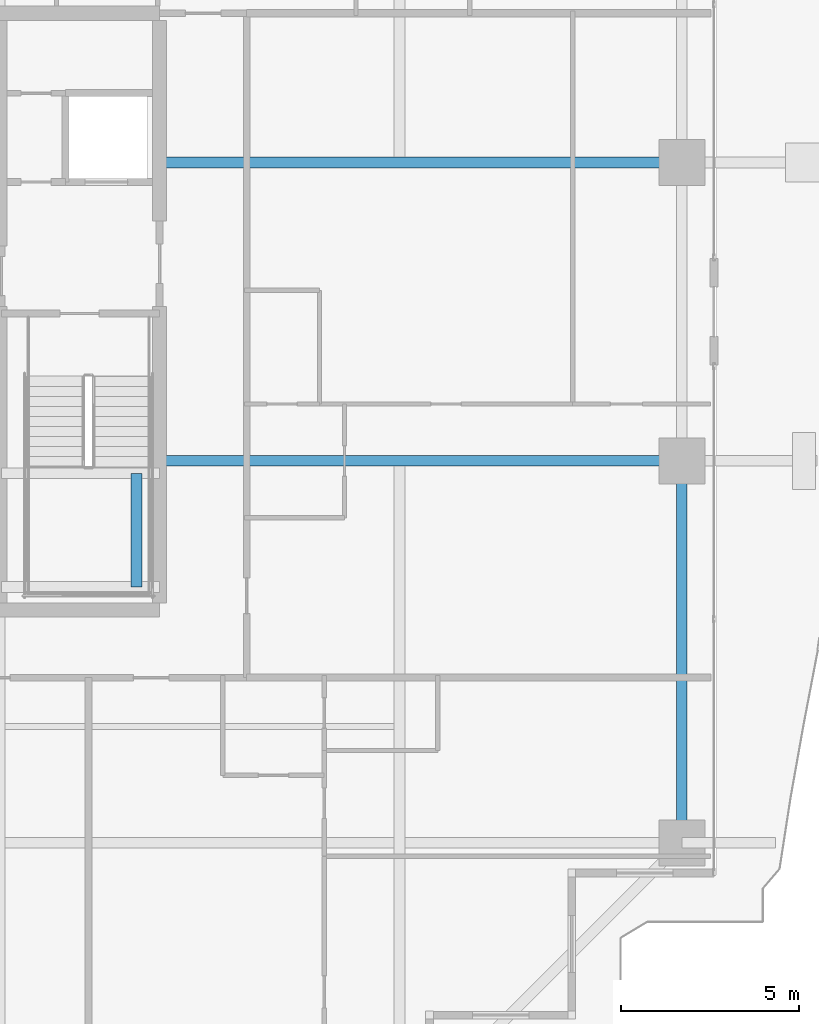
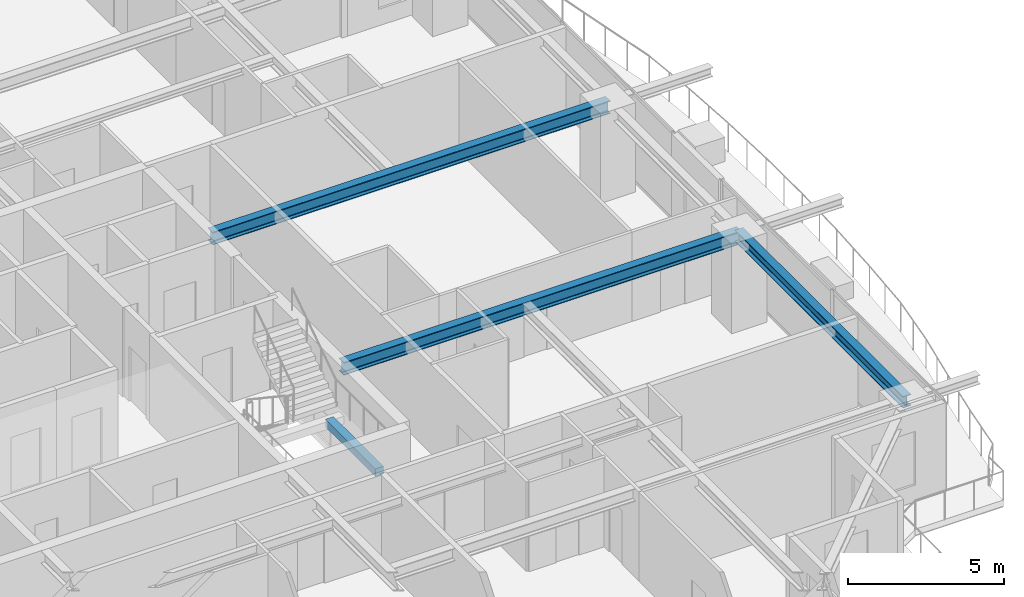
# One storey, part 14 of 37: 4 beams.
"""IFC4 building model written with IfcOpenShell, lengths in metres."""

from ifc_helpers import new_model, si_unit, direction, frame, origin, origin_2d, place, context, subcontext, project, spatial, rectangle, i_section, extrude, source, transform, mapped, material, material_profile, profile_set, type_object, element, save


model = new_model("IFC4")

# Units and contexts
model_context = context("Model", 3, precision=1e-05, world=origin(), true_north=direction((0.0, 1.0)))
body_context = subcontext(model_context, "Body", "Model", "MODEL_VIEW")
ifc_project = project(units=[si_unit("LENGTHUNIT", "METRE"), si_unit("AREAUNIT", "SQUARE_METRE"), si_unit("VOLUMEUNIT", "CUBIC_METRE"), si_unit("PLANEANGLEUNIT", "RADIAN"), si_unit("MASSUNIT", "GRAM", prefix="KILO")], contexts=[model_context])

# Site, building, storey
site_placement = place(None, origin())
site = spatial("IfcSite", under=ifc_project, at=site_placement, CompositionType="ELEMENT")
building_placement = place(site_placement, origin())
building = spatial("IfcBuilding", under=site, at=building_placement, Name="Serunith Strait Residences", CompositionType="ELEMENT")
storey_placement = place(building_placement, frame((0.0, 0.0, 161.39990234375)))
storey = spatial("IfcBuildingStorey", under=building, at=storey_placement, Name="L40", CompositionType="ELEMENT", Elevation=161.39990234375)

# Beams
ifc_material_1 = material(Name="Steel S355J2", Category="steel")
ifc_material_profile_1 = material_profile(ifc_material_1, i_section(OverallWidth=0.300048828125, OverallDepth=0.5, WebThickness=0.014404296875, FlangeThickness=0.028076171875, FilletRadius=0.027099609375, at=origin_2d()), Name="HEB 500")
ifc_profile_set_1 = profile_set([ifc_material_profile_1], Name="Steel S355J2")
beam_type_1 = type_object("IfcBeamType", Name="BM-HEB500", PredefinedType="BEAM", material=ifc_profile_set_1)
shared_shape_1 = source(origin(), body_context, "Body", "SweptSolid", [
    extrude(i_section(OverallWidth=0.300048828125, OverallDepth=0.5, WebThickness=0.014404296875, FlangeThickness=0.028076171875, FilletRadius=0.027099609375, at=origin_2d()), origin(), (0.0, 0.0, 1.0), 14.7001953125),
])
for number, where, z_axis, x_axis, name in (
    (1, (41.39990234375, 21.0, 3.237060546875), (1.0, 0.0, 0.0), (0.0, 1.0, 0.0), "L40 Primary Floor Girder TC-E2"),
    (2, (41.39990234375, 29.39990234375, 3.237060546875), (1.0, 0.0, 0.0), (0.0, 1.0, 0.0), "L40 Primary Floor Girder TC-E3"),
):
    element("IfcBeam", number, at=place(storey_placement, frame(where, z_axis=z_axis, x_axis=x_axis)), inside=storey, type_object=beam_type_1, Name=name, PredefinedType="BEAM", context=body_context, shape_type="MappedRepresentation", body=[
        mapped(shared_shape_1, transform((0.0, 0.0, 0.0), scale=1.0)),
    ])
ifc_material_profile_2 = material_profile(ifc_material_1, i_section(OverallWidth=0.300048828125, OverallDepth=0.449951171875, WebThickness=0.013916015625, FlangeThickness=0.02587890625, FilletRadius=0.027099609375, at=origin_2d()), Name="HEB 450")
ifc_profile_set_2 = profile_set([ifc_material_profile_2], Name="Steel S355J2")
beam_type_2 = type_object("IfcBeamType", Name="BM-HEB450", PredefinedType="BEAM", material=ifc_profile_set_2)
shared_shape_2 = source(origin(), body_context, "Body", "SweptSolid", [
    extrude(i_section(OverallWidth=0.300048828125, OverallDepth=0.449951171875, WebThickness=0.013916015625, FlangeThickness=0.02587890625, FilletRadius=0.027099609375, at=origin_2d()), origin(), (0.0, 0.0, 1.0), 10.75),
])
beam_1_placement = place(storey_placement, frame((56.10009765625, 10.25, 3.26220703125), z_axis=(0.0, 1.0, 0.0), x_axis=(-1.0, 0.0, 0.0)))
element("IfcBeam", 3, at=beam_1_placement, inside=storey, type_object=beam_type_2, Name="L40 Perimeter Ring Beam 05", PredefinedType="BEAM", context=body_context, shape_type="MappedRepresentation", body=[
    mapped(shared_shape_2, transform((0.0, 0.0, 0.0), scale=1.0)),
])
ifc_material_2 = material(Name="Concrete C60/75", Category="concrete")
ifc_material_profile_3 = material_profile(ifc_material_2, rectangle(XDim=0.300048828125, YDim=0.300048828125, at=origin_2d()), Name="RC 300x300")
ifc_profile_set_3 = profile_set([ifc_material_profile_3], Name="Concrete C60/75")
beam_type_3 = type_object("IfcBeamType", Name="BM-LAND-300x300", PredefinedType="BEAM", material=ifc_profile_set_3)
shared_shape_3 = source(origin(), body_context, "Body", "SweptSolid", [
    extrude(rectangle(XDim=0.300048828125, YDim=0.300048828125, at=origin_2d()), origin(), (0.0, 0.0, 1.0), 3.199951171875),
])
beam_2_placement = place(storey_placement, frame((40.75, 17.449951171875, 1.525146484375), z_axis=(0.0, 1.0, 0.0), x_axis=(-1.0, 0.0, 0.0)))
element("IfcBeam", 4, at=beam_2_placement, inside=storey, type_object=beam_type_3, Name="L40 ST-2 Landing Transverse Tie Beam", PredefinedType="BEAM", context=body_context, shape_type="MappedRepresentation", body=[
    mapped(shared_shape_3, transform((0.0, 0.0, 0.0), scale=1.0)),
])

save(model, "model.ifc")
